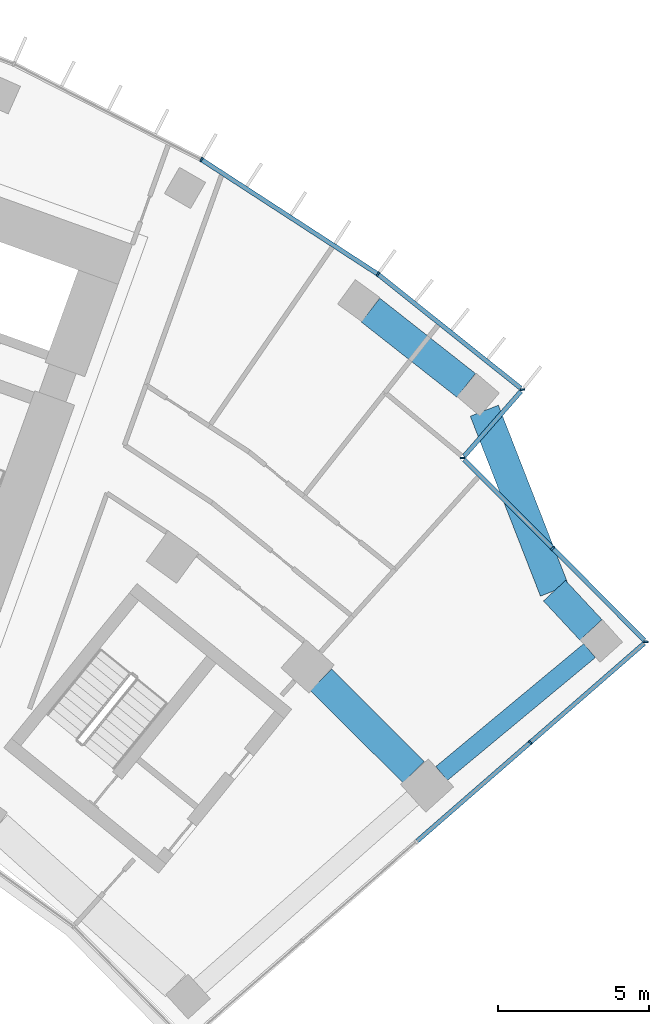
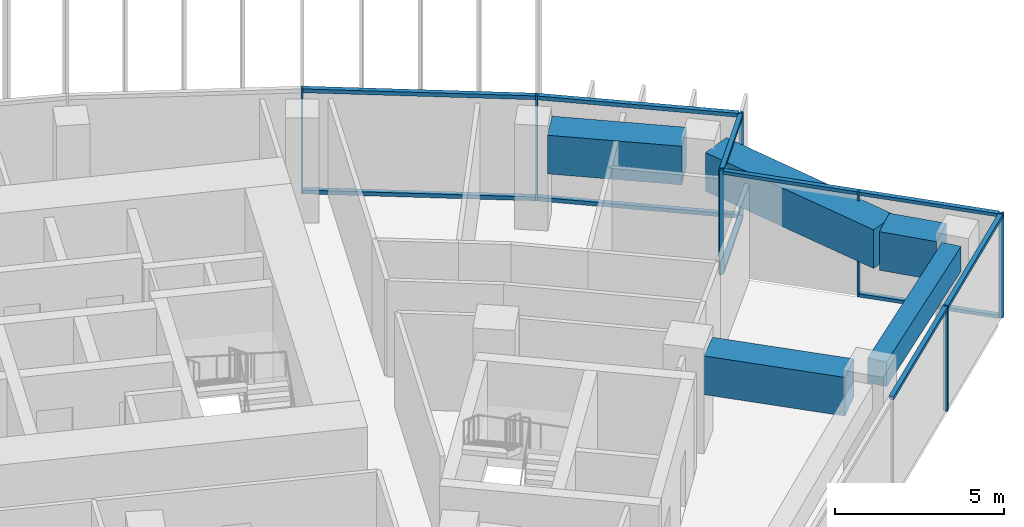
# One storey, part 10 of 23: 18 members, 5 beams, 4 elements without a shape of their own.
"""IFC4 building model written with IfcOpenShell, lengths in metres."""

from ifc_helpers import new_model, si_unit, direction, frame, origin, origin_2d, place, context, subcontext, project, spatial, rectangle, extrude, material, layer, layer_set, material_profile, profile_set, type_object, element, aggregate, save


model = new_model("IFC4")

# Units and contexts
model_context = context("Model", 3, precision=1e-05, world=origin(), true_north=direction((0.0, 1.0)))
body_context = subcontext(model_context, "Body", "Model", "MODEL_VIEW")
ifc_project = project(units=[si_unit("LENGTHUNIT", "METRE"), si_unit("AREAUNIT", "SQUARE_METRE"), si_unit("VOLUMEUNIT", "CUBIC_METRE"), si_unit("PLANEANGLEUNIT", "RADIAN"), si_unit("MASSUNIT", "GRAM", prefix="KILO")], contexts=[model_context])

# Site, building, storey
site_placement = place(None, origin())
site = spatial("IfcSite", under=ifc_project, at=site_placement, CompositionType="ELEMENT")
building_placement = place(site_placement, origin())
building = spatial("IfcBuilding", under=site, at=building_placement, Name="Stone Belt Terrace Tower", CompositionType="ELEMENT")
storey_placement = place(building_placement, frame((0.0, 0.0, 178.199951171875)))
storey = spatial("IfcBuildingStorey", under=building, at=storey_placement, Name="L43", CompositionType="ELEMENT", Elevation=178.199951171875)

# Curtain wall, members
ifc_material_1 = material(Name="Aluminium 6063-T6 anodised frame", Category="aluminium")
ifc_layer_1 = layer(ifc_material_1, 0.14990234375)
ifc_layer_set_1 = layer_set([ifc_layer_1], Name="CW-A unitised convex-face curtain wall")
curtain_wall_type_1 = type_object("IfcCurtainWallType", Name="CW-A unitised convex-face curtain wall", PredefinedType="NOTDEFINED", material=ifc_layer_set_1)
curtain_wall_1_placement = place(storey_placement, origin())
curtain_wall_1 = element("IfcCurtainWall", 1, at=curtain_wall_1_placement, inside=storey, type_object=curtain_wall_type_1, Name="CW-A convex face L43", PredefinedType="NOTDEFINED")
ifc_material_profile_1 = material_profile(ifc_material_1, rectangle(XDim=0.14990234375, YDim=0.06005859375, at=origin_2d()), Name="Aluminium 6063-T6 60x150")
ifc_profile_set_1 = profile_set([ifc_material_profile_1], Name="Aluminium 6063-T6 anodised frame")
member_type_1 = type_object("IfcMemberType", Name="CW-A mullion 60 x 150", PredefinedType="MULLION", material=ifc_profile_set_1)
member_1_placement = place(storey_placement, frame((43.91748046875, 50.03955078125, 0.0), z_axis=(0.0, 0.0, 1.0), x_axis=(-0.996049824893, -0.088796094119, 0.0)))
member_1 = element("IfcMember", 2, at=member_1_placement, type_object=member_type_1, Name="CW-A mullion 1", PredefinedType="MULLION", context=body_context, shape_type="SweptSolid", body=[
    extrude(rectangle(XDim=0.14990234375, YDim=0.06005859375, at=origin_2d()), origin(), (0.0, 0.0, 1.0), 3.800048828125),
])
member_2_placement = place(storey_placement, frame((39.131591796875, 53.860595703125, 0.0), z_axis=(0.0, 0.0, 1.0), x_axis=(-0.58498432965, -0.811044594375, 0.0)))
member_2 = element("IfcMember", 3, at=member_2_placement, type_object=member_type_1, Name="CW-A mullion 2", PredefinedType="MULLION", context=body_context, shape_type="SweptSolid", body=[
    extrude(rectangle(XDim=0.14990234375, YDim=0.06005859375, at=origin_2d()), origin(), (0.0, 0.0, 1.0), 3.800048828125),
])
member_3_placement = place(storey_placement, frame((33.28759765625, 57.65576171875, 0.0), z_axis=(0.0, 0.0, 1.0), x_axis=(-0.5, -0.866025403784, 0.0)))
member_3 = element("IfcMember", 4, at=member_3_placement, type_object=member_type_1, Name="CW-A mullion 3", PredefinedType="MULLION", context=body_context, shape_type="SweptSolid", body=[
    extrude(rectangle(XDim=0.14990234375, YDim=0.06005859375, at=origin_2d()), origin(), (0.0, 0.0, 1.0), 3.800048828125),
])
ifc_material_profile_2 = material_profile(ifc_material_1, rectangle(XDim=0.14990234375, YDim=0.139892578125, at=origin_2d()), Name="Aluminium 6063-T6 150x140")
ifc_profile_set_2 = profile_set([ifc_material_profile_2], Name="Aluminium 6063-T6 anodised frame")
member_type_2 = type_object("IfcMemberType", Name="CW-A transom 140 x 150", PredefinedType="USERDEFINED", material=ifc_profile_set_2)
member_4_placement = place(storey_placement, frame((43.85888671875, 50.086181640625, 0.070068359375), z_axis=(-0.78146238199, 0.623952358385, 0.0), x_axis=(-0.623952358385, -0.78146238199, 0.0)))
member_4 = element("IfcMember", 5, at=member_4_placement, type_object=member_type_2, Name="CW-A transom 1.1", ObjectType="TRANSOM", PredefinedType="USERDEFINED", context=body_context, shape_type="SweptSolid", body=[
    extrude(rectangle(XDim=0.14990234375, YDim=0.139892578125, at=origin_2d()), origin(), (0.0, 0.0, 1.0), 6.015625),
])
member_5_placement = place(storey_placement, frame((43.85888671875, 50.086181640625, 3.72998046875), z_axis=(-0.78146238199, 0.623952358385, 0.0), x_axis=(-0.623952358385, -0.78146238199, 0.0)))
member_5 = element("IfcMember", 6, at=member_5_placement, type_object=member_type_2, Name="CW-A transom 1.2", ObjectType="TRANSOM", PredefinedType="USERDEFINED", context=body_context, shape_type="SweptSolid", body=[
    extrude(rectangle(XDim=0.14990234375, YDim=0.139892578125, at=origin_2d()), origin(), (0.0, 0.0, 1.0), 6.015625),
])
member_6_placement = place(storey_placement, frame((39.103515625, 53.87890625, 0.070068359375), z_axis=(-0.83868440714, 0.544617723931, 0.0), x_axis=(-0.544617723931, -0.83868440714, 0.0)))
member_6 = element("IfcMember", 7, at=member_6_placement, type_object=member_type_2, Name="CW-A transom 2.1", ObjectType="TRANSOM", PredefinedType="USERDEFINED", context=body_context, shape_type="SweptSolid", body=[
    extrude(rectangle(XDim=0.14990234375, YDim=0.139892578125, at=origin_2d()), origin(), (0.0, 0.0, 1.0), 6.90087890625),
])
member_7_placement = place(storey_placement, frame((39.103515625, 53.87890625, 3.72998046875), z_axis=(-0.83868440714, 0.544617723931, 0.0), x_axis=(-0.544617723931, -0.83868440714, 0.0)))
member_7 = element("IfcMember", 8, at=member_7_placement, type_object=member_type_2, Name="CW-A transom 2.2", ObjectType="TRANSOM", PredefinedType="USERDEFINED", context=body_context, shape_type="SweptSolid", body=[
    extrude(rectangle(XDim=0.14990234375, YDim=0.139892578125, at=origin_2d()), origin(), (0.0, 0.0, 1.0), 6.90087890625),
])
aggregate(curtain_wall_1, [member_1, member_2, member_3, member_4, member_5, member_6, member_7])

# Curtain wall, member
ifc_layer_2 = layer(ifc_material_1, 0.14990234375)
ifc_layer_set_2 = layer_set([ifc_layer_2], Name="CW-C stick curtain wall, horn ends and notches")
curtain_wall_type_2 = type_object("IfcCurtainWallType", Name="CW-C stick curtain wall, horn ends and notches", PredefinedType="NOTDEFINED", material=ifc_layer_set_2)
curtain_wall_2_placement = place(storey_placement, origin())
curtain_wall_2 = element("IfcCurtainWall", 9, at=curtain_wall_2_placement, inside=storey, type_object=curtain_wall_type_2, Name="CW-C end face L43", PredefinedType="NOTDEFINED")
ifc_material_profile_3 = material_profile(ifc_material_1, rectangle(XDim=0.14990234375, YDim=0.06005859375, at=origin_2d()), Name="Aluminium 6063-T6 60x150")
ifc_profile_set_3 = profile_set([ifc_material_profile_3], Name="Aluminium 6063-T6 anodised frame")
member_type_3 = type_object("IfcMemberType", Name="CW-C mullion 60 x 150", PredefinedType="MULLION", material=ifc_profile_set_3)
member_8_placement = place(storey_placement, frame((44.174072265625, 38.352294921875, 0.0), z_axis=(0.0, 0.0, 1.0), x_axis=(-0.65656142871, 0.754272557058, 0.0)))
member_8 = element("IfcMember", 10, at=member_8_placement, type_object=member_type_3, Name="CW-C mullion 4", PredefinedType="MULLION", context=body_context, shape_type="SweptSolid", body=[
    extrude(rectangle(XDim=0.14990234375, YDim=0.06005859375, at=origin_2d()), origin(), (0.0, 0.0, 1.0), 3.800048828125),
])

# Curtain wall, members
curtain_wall_3_placement = place(storey_placement, origin())
curtain_wall_3 = element("IfcCurtainWall", 11, at=curtain_wall_3_placement, inside=storey, type_object=curtain_wall_type_2, Name="CW-C notch face L43", PredefinedType="NOTDEFINED")
member_9_placement = place(storey_placement, frame((48.006103515625, 41.687744140625, 0.0), z_axis=(0.0, 0.0, 1.0), x_axis=(-0.999376571232, 0.03530536605, 0.0)))
member_9 = element("IfcMember", 12, at=member_9_placement, type_object=member_type_3, Name="CW-C mullion 1", PredefinedType="MULLION", context=body_context, shape_type="SweptSolid", body=[
    extrude(rectangle(XDim=0.14990234375, YDim=0.06005859375, at=origin_2d()), origin(), (0.0, 0.0, 1.0), 3.800048828125),
])
member_10_placement = place(storey_placement, frame((44.917724609375, 44.78515625, 0.0), z_axis=(0.0, 0.0, 1.0), x_axis=(-0.70815119576, -0.706060821703, 0.0)))
member_10 = element("IfcMember", 13, at=member_10_placement, type_object=member_type_3, Name="CW-C mullion 2", PredefinedType="MULLION", context=body_context, shape_type="SweptSolid", body=[
    extrude(rectangle(XDim=0.14990234375, YDim=0.06005859375, at=origin_2d()), origin(), (0.0, 0.0, 1.0), 3.800048828125),
])

# Curtain wall, member
curtain_wall_4_placement = place(storey_placement, origin())
curtain_wall_4 = element("IfcCurtainWall", 14, at=curtain_wall_4_placement, inside=storey, type_object=curtain_wall_type_2, Name="CW-C notch face L43", PredefinedType="NOTDEFINED")
member_11_placement = place(storey_placement, frame((41.935546875, 47.776123046875, 0.0), z_axis=(0.0, 0.0, 1.0), x_axis=(-0.99947657515, -0.032350822665, 0.0)))
member_11 = element("IfcMember", 15, at=member_11_placement, type_object=member_type_3, Name="CW-C mullion 1", PredefinedType="MULLION", context=body_context, shape_type="SweptSolid", body=[
    extrude(rectangle(XDim=0.14990234375, YDim=0.06005859375, at=origin_2d()), origin(), (0.0, 0.0, 1.0), 3.800048828125),
])

# Member
ifc_material_profile_4 = material_profile(ifc_material_1, rectangle(XDim=0.14990234375, YDim=0.1201171875, at=origin_2d()), Name="Aluminium 6063-T6 150x120")
ifc_profile_set_4 = profile_set([ifc_material_profile_4], Name="Aluminium 6063-T6 anodised frame")
member_type_4 = type_object("IfcMemberType", Name="CW-C transom 120 x 150", PredefinedType="USERDEFINED", material=ifc_profile_set_4)
member_12_placement = place(storey_placement, frame((40.425537109375, 35.089111328125, 3.739990234375), z_axis=(0.754270272843, 0.656564052858, 0.0), x_axis=(-0.656564052858, 0.754270272843, 0.0)))
member_12 = element("IfcMember", 16, at=member_12_placement, type_object=member_type_4, Name="CW-C transom 3.1", ObjectType="TRANSOM", PredefinedType="USERDEFINED", context=body_context, shape_type="SweptSolid", body=[
    extrude(rectangle(XDim=0.14990234375, YDim=0.1201171875, at=origin_2d()), origin(), (0.0, 0.0, 1.0), 4.93994140625),
])

member_13_placement = place(storey_placement, frame((44.19677734375, 38.3720703125, 3.739990234375), z_axis=(0.754270514884, 0.656563774797, 0.0), x_axis=(-0.656563774797, 0.754270514884, 0.0)))
member_13 = element("IfcMember", 17, at=member_13_placement, type_object=member_type_4, Name="CW-C transom 4.1", ObjectType="TRANSOM", PredefinedType="USERDEFINED", context=body_context, shape_type="SweptSolid", body=[
    extrude(rectangle(XDim=0.14990234375, YDim=0.1201171875, at=origin_2d()), origin(), (0.0, 0.0, 1.0), 4.974853515625),
])

aggregate(curtain_wall_2, [member_8, member_12, member_13])

member_14_placement = place(storey_placement, frame((47.952880859375, 41.740966796875, 0.06005859375), z_axis=(-0.70604791857, 0.70816406057, 0.0), x_axis=(-0.70816406057, -0.70604791857, 0.0)))
member_14 = element("IfcMember", 18, at=member_14_placement, type_object=member_type_4, Name="CW-C transom 1.1", ObjectType="TRANSOM", PredefinedType="USERDEFINED", context=body_context, shape_type="SweptSolid", body=[
    extrude(rectangle(XDim=0.14990234375, YDim=0.1201171875, at=origin_2d()), origin(), (0.0, 0.0, 1.0), 4.268798828125),
])

member_15_placement = place(storey_placement, frame((47.952880859375, 41.740966796875, 3.739990234375), z_axis=(-0.70604791857, 0.70816406057, 0.0), x_axis=(-0.70816406057, -0.70604791857, 0.0)))
member_15 = element("IfcMember", 19, at=member_15_placement, type_object=member_type_4, Name="CW-C transom 1.2", ObjectType="TRANSOM", PredefinedType="USERDEFINED", context=body_context, shape_type="SweptSolid", body=[
    extrude(rectangle(XDim=0.14990234375, YDim=0.1201171875, at=origin_2d()), origin(), (0.0, 0.0, 1.0), 4.268798828125),
])

member_16_placement = place(storey_placement, frame((44.896728515625, 44.806396484375, 3.739990234375), z_axis=(-0.706069165212, 0.708142876782, 0.0), x_axis=(-0.708142876782, -0.706069165212, 0.0)))
member_16 = element("IfcMember", 20, at=member_16_placement, type_object=member_type_4, Name="CW-C transom 2.1", ObjectType="TRANSOM", PredefinedType="USERDEFINED", context=body_context, shape_type="SweptSolid", body=[
    extrude(rectangle(XDim=0.14990234375, YDim=0.1201171875, at=origin_2d()), origin(), (0.0, 0.0, 1.0), 4.12060546875),
])

aggregate(curtain_wall_3, [member_9, member_10, member_14, member_15, member_16])

member_17_placement = place(storey_placement, frame((41.98388671875, 47.831298828125, 0.06005859375), z_axis=(0.658782538551, 0.752333414717, 0.0), x_axis=(-0.752333414717, 0.658782538551, 0.0)))
member_17 = element("IfcMember", 21, at=member_17_placement, type_object=member_type_4, Name="CW-C transom 1.1", ObjectType="TRANSOM", PredefinedType="USERDEFINED", context=body_context, shape_type="SweptSolid", body=[
    extrude(rectangle(XDim=0.14990234375, YDim=0.1201171875, at=origin_2d()), origin(), (0.0, 0.0, 1.0), 2.8603515625),
])

member_18_placement = place(storey_placement, frame((41.98388671875, 47.831298828125, 3.739990234375), z_axis=(0.658782538551, 0.752333414717, 0.0), x_axis=(-0.752333414717, 0.658782538551, 0.0)))
member_18 = element("IfcMember", 22, at=member_18_placement, type_object=member_type_4, Name="CW-C transom 1.2", ObjectType="TRANSOM", PredefinedType="USERDEFINED", context=body_context, shape_type="SweptSolid", body=[
    extrude(rectangle(XDim=0.14990234375, YDim=0.1201171875, at=origin_2d()), origin(), (0.0, 0.0, 1.0), 2.8603515625),
])

aggregate(curtain_wall_4, [member_11, member_17, member_18])

# Beams
ifc_material_2 = material(Name="Concrete B60", Category="concrete")
ifc_material_profile_5 = material_profile(ifc_material_2, rectangle(XDim=0.60009765625, YDim=0.89990234375, at=origin_2d()), Name="RC 600x900")
ifc_profile_set_5 = profile_set([ifc_material_profile_5], Name="Concrete B60")
beam_type_1 = type_object("IfcBeamType", Name="Edge beam RC 600x900 B60", PredefinedType="SPANDREL", material=ifc_profile_set_5)
beam_1_placement = place(storey_placement, frame((41.2392578125, 37.3291015625, 3.030029296875), z_axis=(0.769366872877, 0.638807181331, 0.0), x_axis=(-0.638807181331, 0.769366872877, 0.0)))
element("IfcBeam", 23, at=beam_1_placement, inside=storey, type_object=beam_type_1, Name="Edge beam L43 B Q to R", PredefinedType="SPANDREL", context=body_context, shape_type="SweptSolid", body=[
    extrude(rectangle(XDim=0.60009765625, YDim=0.89990234375, at=origin_2d()), origin(), (0.0, 0.0, 1.0), 6.369140625),
])
ifc_material_3 = material(Name="Concrete B80", Category="concrete")
ifc_material_profile_6 = material_profile(ifc_material_3, rectangle(XDim=1.0, YDim=1.39990234375, at=origin_2d()), Name="RC 1000x1400")
ifc_profile_set_6 = profile_set([ifc_material_profile_6], Name="Concrete B80")
beam_type_2 = type_object("IfcBeamType", Name="Transfer beam RC 1000x1400 B80", PredefinedType="BEAM", material=ifc_profile_set_6)
beam_2_placement = place(storey_placement, frame((37.245361328125, 40.43115234375, 2.780029296875), z_axis=(0.708204399629, -0.706007456296, 0.0), x_axis=(0.706007456296, 0.708204399629, 0.0)))
element("IfcBeam", 24, at=beam_2_placement, inside=storey, type_object=beam_type_2, Name="Transfer beam L43 QQ29-QB", PredefinedType="BEAM", context=body_context, shape_type="SweptSolid", body=[
    extrude(rectangle(XDim=1.0, YDim=1.39990234375, at=origin_2d()), origin(), (0.0, 0.0, 1.0), 4.333984375),
])
beam_3_placement = place(storey_placement, frame((42.6533203125, 49.34130859375, 2.780029296875), z_axis=(0.363243579129, -0.931694210684, 0.0), x_axis=(0.931694210684, 0.363243579129, 0.0)))
element("IfcBeam", 25, at=beam_3_placement, inside=storey, type_object=beam_type_2, Name="Transfer beam L43 RRNB-RB", PredefinedType="BEAM", context=body_context, shape_type="SweptSolid", body=[
    extrude(rectangle(XDim=1.0, YDim=1.39990234375, at=origin_2d()), origin(), (0.0, 0.0, 1.0), 6.397216796875),
])
beam_4_placement = place(storey_placement, frame((44.97705078125, 43.381103515625, 2.780029296875), z_axis=(0.681016335938, -0.732268222843, 0.0), x_axis=(0.732268222843, 0.681016335938, 0.0)))
element("IfcBeam", 26, at=beam_4_placement, inside=storey, type_object=beam_type_2, Name="Transfer beam L43 RRB-RB", PredefinedType="BEAM", context=body_context, shape_type="SweptSolid", body=[
    extrude(rectangle(XDim=1.0, YDim=1.39990234375, at=origin_2d()), origin(), (0.0, 0.0, 1.0), 1.77197265625),
])
beam_5_placement = place(storey_placement, frame((38.88671875, 52.672119140625, 2.780029296875), z_axis=(0.785826198641, -0.618447399162, 0.0), x_axis=(0.618447399162, 0.785826198641, 0.0)))
element("IfcBeam", 27, at=beam_5_placement, inside=storey, type_object=beam_type_2, Name="Transfer beam L43 RR28-RNB", PredefinedType="BEAM", context=body_context, shape_type="SweptSolid", body=[
    extrude(rectangle(XDim=1.0, YDim=1.39990234375, at=origin_2d()), origin(), (0.0, 0.0, 1.0), 4.030029296875),
])

save(model, "model.ifc")
